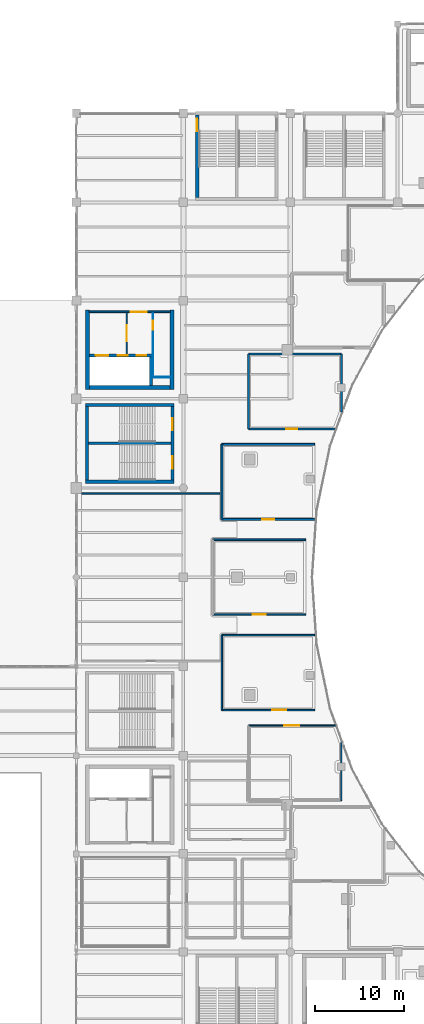
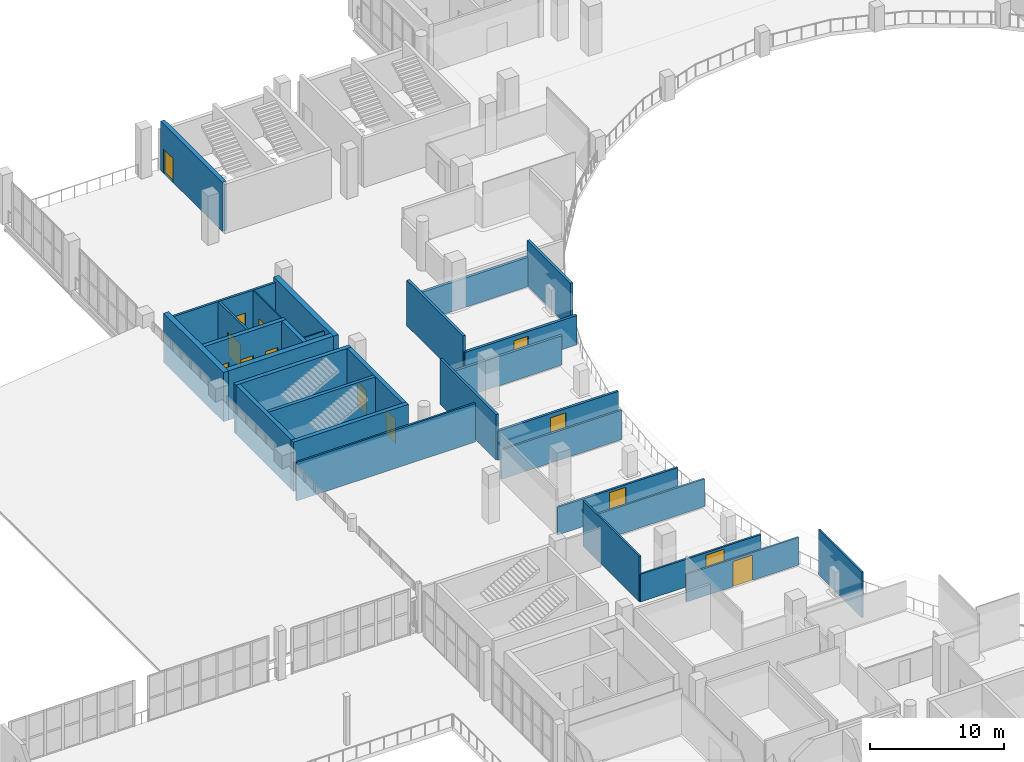
# One storey, part 63 of 90: 30 walls, 14 doors, 14 openings.
"""IFC4 building model written with IfcOpenShell, lengths in metres."""

from ifc_helpers import new_model, si_unit, direction, frame, frame_2d, origin, place, context, subcontext, project, spatial, rectangle, extrude, material, layer, layer_set, type_object, element, fill, save


model = new_model("IFC4")

# Units and contexts
model_context = context("Model", 3, precision=1e-05, world=origin(), true_north=direction((0.0, 1.0)))
body_context = subcontext(model_context, "Body", "Model", "MODEL_VIEW")
ifc_project = project(units=[si_unit("LENGTHUNIT", "METRE"), si_unit("AREAUNIT", "SQUARE_METRE"), si_unit("VOLUMEUNIT", "CUBIC_METRE"), si_unit("PLANEANGLEUNIT", "RADIAN"), si_unit("MASSUNIT", "GRAM", prefix="KILO")], contexts=[model_context])

# Site, building, storey
site_placement = place(None, origin())
site = spatial("IfcSite", under=ifc_project, at=site_placement, CompositionType="ELEMENT")
building_placement = place(site_placement, origin())
building = spatial("IfcBuilding", under=site, at=building_placement, Name="Brinegate Civic Arena", CompositionType="ELEMENT")
storey_placement = place(building_placement, frame((0.0, 0.0, 14.699951171875)))
storey = spatial("IfcBuildingStorey", under=building, at=storey_placement, Name="L03", CompositionType="ELEMENT", Elevation=14.699951171875)

# Wall, opening, door
ifc_material_1 = material(Name="Concrete C50/60", Category="concrete")
ifc_layer_1 = layer(ifc_material_1, 0.35009765625, Name="Concrete C50/60")
ifc_layer_set_1 = layer_set([ifc_layer_1], Name="Concrete C50/60")
wall_type_1 = type_object("IfcWallType", Name="WALL-CORE-SHEAR-350", PredefinedType="SHEAR", material=ifc_layer_set_1)
wall_1_placement = place(storey_placement, frame((61.550048828125, 104.574951171875, 0.0), z_axis=(0.0, 0.0, 1.0), x_axis=(0.0, 1.0, 0.0)))
wall_1 = element("IfcWall", 1, at=wall_1_placement, inside=storey, type_object=wall_type_1, Name="Stair ST-01 West Shear Wall L03 (WBB-19)", PredefinedType="SHEAR", context=body_context, shape_type="SweptSolid", body=[
    extrude(rectangle(XDim=9.25, YDim=0.35009765625, at=frame_2d((4.625, 0.0))), origin(), (0.0, 0.0, 1.0), 4.5),
])
opening_1_placement = place(wall_1_placement, frame((7.425048828125, 0.0, 0.0)))
opening_1 = element("IfcOpeningElement", 2, at=opening_1_placement, cuts=wall_1, Name="Opening D-ST01A-L03", PredefinedType="OPENING", context=body_context, shape_type="SweptSolid", body=[
    extrude(rectangle(XDim=1.39990234375, YDim=2.199951171875, at=frame_2d((0.699951171875, 1.10009765625))), frame((0.0, 0.18505859375, 0.0), z_axis=(0.0, -1.0, 0.0), x_axis=(1.0, 0.0, 0.0)), (0.0, 0.0, 1.0), 0.3701171875),
])
ifc_material_2 = material(Name="Galvanized hurricane steel", Category="steel")
door_type_1 = type_object("IfcDoorType", Name="DOOR-STAIR-2400X2200", OperationType="NOTDEFINED", PredefinedType="DOOR", material=ifc_material_2)
door_1_placement = place(opening_1_placement, frame((1.39990234375, 0.0, 0.0), z_axis=(0.0, 0.0, 1.0), x_axis=(-1.0, 0.0, 0.0)))
door_1 = element("IfcDoor", 3, at=door_1_placement, inside=storey, type_object=door_type_1, Name="Protected Exit Stair Door D-ST01A-L03", OperationType="DOUBLE_DOOR_SINGLE_SWING", OverallHeight=2.199951171875, OverallWidth=1.39990234375, PredefinedType="DOOR", context=body_context, shape_type="SweptSolid", body=[
    extrude(rectangle(XDim=1.39990234375, YDim=2.199951171875, at=frame_2d((0.699951171875, 1.10009765625))), frame((0.0, 0.02490234375, 0.0), z_axis=(0.0, -1.0, 0.0), x_axis=(1.0, 0.0, 0.0)), (0.0, 0.0, 1.0), 0.050048828125),
])
fill(opening_1, door_1)

# Walls
for number, where, z_axis, x_axis, name in (
    (4, (49.02490234375, 72.699951171875, 0.0), (0.0, 0.0, 1.0), (1.0, 0.0, 0.0), "Stair ST-07 South Shear Wall L03 (WBC-83)"),
    (5, (49.02490234375, 81.300048828125, 0.0), (0.0, 0.0, 1.0), (1.0, 0.0, 0.0), "Stair ST-07 North Shear Wall L03 (WBC-84)"),
):
    element("IfcWall", number, at=place(storey_placement, frame(where, z_axis=z_axis, x_axis=x_axis)), inside=storey, type_object=wall_type_1, Name=name, PredefinedType="SHEAR", context=body_context, shape_type="SweptSolid", body=[
        extrude(rectangle(XDim=9.9501953125, YDim=0.35009765625, at=frame_2d((4.97509765625, 0.0))), origin(), (0.0, 0.0, 1.0), 4.5),
    ])
wall_2_placement = place(storey_placement, frame((49.199951171875, 72.875, 0.0), z_axis=(0.0, 0.0, 1.0), x_axis=(0.0, 1.0, 0.0)))
element("IfcWall", 6, at=wall_2_placement, inside=storey, type_object=wall_type_1, Name="Stair ST-07 West Shear Wall L03 (WBC-85)", PredefinedType="SHEAR", context=body_context, shape_type="SweptSolid", body=[
    extrude(rectangle(XDim=8.25, YDim=0.35009765625, at=frame_2d((4.125, 0.0))), origin(), (0.0, 0.0, 1.0), 4.5),
])

# Wall, openings, doors
wall_3_placement = place(storey_placement, frame((58.800048828125, 72.875, 0.0), z_axis=(0.0, 0.0, 1.0), x_axis=(0.0, 1.0, 0.0)))
wall_3 = element("IfcWall", 7, at=wall_3_placement, inside=storey, type_object=wall_type_1, Name="Stair ST-07 East Shear Wall L03 (WBC-86)", PredefinedType="SHEAR", context=body_context, shape_type="SweptSolid", body=[
    extrude(rectangle(XDim=8.25, YDim=0.35009765625, at=frame_2d((4.125, 0.0))), origin(), (0.0, 0.0, 1.0), 4.5),
])
opening_2_placement = place(wall_3_placement, frame((1.27490234375, 0.0, 0.0)))
opening_2 = element("IfcOpeningElement", 8, at=opening_2_placement, cuts=wall_3, Name="Opening D-ST07A-L03", PredefinedType="OPENING", context=body_context, shape_type="SweptSolid", body=[
    extrude(rectangle(XDim=1.39990234375, YDim=2.199951171875, at=frame_2d((0.699951171875, 1.10009765625))), frame((0.0, 0.18505859375, 0.0), z_axis=(0.0, -1.0, 0.0), x_axis=(1.0, 0.0, 0.0)), (0.0, 0.0, 1.0), 0.3701171875),
])
opening_3_placement = place(wall_3_placement, frame((5.614990234375, 0.0, 0.0)))
opening_3 = element("IfcOpeningElement", 9, at=opening_3_placement, cuts=wall_3, Name="Opening D-ST07B-L03", PredefinedType="OPENING", context=body_context, shape_type="SweptSolid", body=[
    extrude(rectangle(XDim=1.320068359375, YDim=2.199951171875, at=frame_2d((0.66015625, 1.10009765625))), frame((0.0, 0.18505859375, 0.0), z_axis=(0.0, -1.0, 0.0), x_axis=(1.0, 0.0, 0.0)), (0.0, 0.0, 1.0), 0.3701171875),
])
door_type_2 = type_object("IfcDoorType", Name="DOOR-STAIR-2200X2200", OperationType="NOTDEFINED", PredefinedType="DOOR", material=ifc_material_2)
door_2_placement = place(opening_3_placement, origin())
door_2 = element("IfcDoor", 10, at=door_2_placement, inside=storey, type_object=door_type_2, Name="Protected Exit Stair Door D-ST07B-L03", OperationType="DOUBLE_DOOR_SINGLE_SWING", OverallHeight=2.199951171875, OverallWidth=1.320068359375, PredefinedType="DOOR", context=body_context, shape_type="SweptSolid", body=[
    extrude(rectangle(XDim=1.320068359375, YDim=2.199951171875, at=frame_2d((0.66015625, 1.10009765625))), frame((0.0, 0.02490234375, 0.0), z_axis=(0.0, -1.0, 0.0), x_axis=(1.0, 0.0, 0.0)), (0.0, 0.0, 1.0), 0.050048828125),
])
fill(opening_3, door_2)
door_3_placement = place(opening_2_placement, origin())
door_3 = element("IfcDoor", 11, at=door_3_placement, inside=storey, type_object=door_type_1, Name="Protected Exit Stair Door D-ST07A-L03", OperationType="DOUBLE_DOOR_SINGLE_SWING", OverallHeight=2.199951171875, OverallWidth=1.39990234375, PredefinedType="DOOR", context=body_context, shape_type="SweptSolid", body=[
    extrude(rectangle(XDim=1.39990234375, YDim=2.199951171875, at=frame_2d((0.699951171875, 1.10009765625))), frame((0.0, 0.02490234375, 0.0), z_axis=(0.0, -1.0, 0.0), x_axis=(1.0, 0.0, 0.0)), (0.0, 0.0, 1.0), 0.050048828125),
])
fill(opening_2, door_3)

wall_4_placement = place(storey_placement, frame((49.47509765625, 86.85009765625, 0.0), z_axis=(0.0, 0.0, 1.0), x_axis=(1.0, 0.0, 0.0)))
wall_4 = element("IfcWall", 12, at=wall_4_placement, inside=storey, type_object=wall_type_1, Name="Core K1 Lift Shaft Front Wall L03 (WBF-66)", PredefinedType="SHEAR", context=body_context, shape_type="SweptSolid", body=[
    extrude(rectangle(XDim=7.0498046875, YDim=0.35009765625, at=frame_2d((3.52490234375, 0.0))), origin(), (0.0, 0.0, 1.0), 4.5),
])
opening_4_placement = place(wall_4_placement, frame((0.72509765625, 0.0, 0.0)))
opening_4 = element("IfcOpeningElement", 13, at=opening_4_placement, cuts=wall_4, Name="Opening LD-FL1-L03", PredefinedType="OPENING", context=body_context, shape_type="SweptSolid", body=[
    extrude(rectangle(XDim=1.39990234375, YDim=2.300048828125, at=frame_2d((0.699951171875, 1.14990234375))), frame((0.0, 0.18505859375, 0.0), z_axis=(0.0, -1.0, 0.0), x_axis=(1.0, 0.0, 0.0)), (0.0, 0.0, 1.0), 0.3701171875),
])
opening_5_placement = place(wall_4_placement, frame((3.175048828125, 0.0, 0.0)))
opening_5 = element("IfcOpeningElement", 14, at=opening_5_placement, cuts=wall_4, Name="Opening LD-PL1-L03", PredefinedType="OPENING", context=body_context, shape_type="SweptSolid", body=[
    extrude(rectangle(XDim=1.10009765625, YDim=2.199951171875, at=frame_2d((0.550048828125, 1.10009765625))), frame((0.0, 0.18505859375, 0.0), z_axis=(0.0, -1.0, 0.0), x_axis=(1.0, 0.0, 0.0)), (0.0, 0.0, 1.0), 0.3701171875),
])
opening_6_placement = place(wall_4_placement, frame((5.27490234375, 0.0, 0.0)))
opening_6 = element("IfcOpeningElement", 15, at=opening_6_placement, cuts=wall_4, Name="Opening LD-PL2-L03", PredefinedType="OPENING", context=body_context, shape_type="SweptSolid", body=[
    extrude(rectangle(XDim=1.10009765625, YDim=2.199951171875, at=frame_2d((0.550048828125, 1.10009765625))), frame((0.0, 0.18505859375, 0.0), z_axis=(0.0, -1.0, 0.0), x_axis=(1.0, 0.0, 0.0)), (0.0, 0.0, 1.0), 0.3701171875),
])
ifc_material_3 = material(Name="Architectural stainless steel balustrade", Category="steel")
door_type_3 = type_object("IfcDoorType", Name="DOOR-LIFT-1100X2200", OperationType="SLIDING_TO_LEFT", PredefinedType="DOOR", material=ifc_material_3)
door_4_placement = place(opening_5_placement, origin())
door_4 = element("IfcDoor", 16, at=door_4_placement, inside=storey, type_object=door_type_3, Name="Sliding Lift Landing Door LD-PL1-L03", OperationType="SLIDING_TO_LEFT", OverallHeight=2.199951171875, OverallWidth=1.10009765625, PredefinedType="DOOR", context=body_context, shape_type="SweptSolid", body=[
    extrude(rectangle(XDim=1.10009765625, YDim=2.199951171875, at=frame_2d((0.550048828125, 1.10009765625))), frame((0.0, 0.02490234375, 0.0), z_axis=(0.0, -1.0, 0.0), x_axis=(1.0, 0.0, 0.0)), (0.0, 0.0, 1.0), 0.050048828125),
])
fill(opening_5, door_4)
door_5_placement = place(opening_6_placement, origin())
door_5 = element("IfcDoor", 17, at=door_5_placement, inside=storey, type_object=door_type_3, Name="Sliding Lift Landing Door LD-PL2-L03", OperationType="SLIDING_TO_LEFT", OverallHeight=2.199951171875, OverallWidth=1.10009765625, PredefinedType="DOOR", context=body_context, shape_type="SweptSolid", body=[
    extrude(rectangle(XDim=1.10009765625, YDim=2.199951171875, at=frame_2d((0.550048828125, 1.10009765625))), frame((0.0, 0.02490234375, 0.0), z_axis=(0.0, -1.0, 0.0), x_axis=(1.0, 0.0, 0.0)), (0.0, 0.0, 1.0), 0.050048828125),
])
fill(opening_6, door_5)
door_type_4 = type_object("IfcDoorType", Name="DOOR-LIFT-1400X2300", OperationType="SLIDING_TO_LEFT", PredefinedType="DOOR", material=ifc_material_3)
door_6_placement = place(opening_4_placement, origin())
door_6 = element("IfcDoor", 18, at=door_6_placement, inside=storey, type_object=door_type_4, Name="Sliding Lift Landing Door LD-FL1-L03", OperationType="SLIDING_TO_LEFT", OverallHeight=2.300048828125, OverallWidth=1.39990234375, PredefinedType="DOOR", context=body_context, shape_type="SweptSolid", body=[
    extrude(rectangle(XDim=1.39990234375, YDim=2.300048828125, at=frame_2d((0.699951171875, 1.14990234375))), frame((0.0, 0.02490234375, 0.0), z_axis=(0.0, -1.0, 0.0), x_axis=(1.0, 0.0, 0.0)), (0.0, 0.0, 1.0), 0.050048828125),
])
fill(opening_4, door_6)

# Walls
wall_5_placement = place(storey_placement, frame((56.35009765625, 83.47509765625, 0.0), z_axis=(0.0, 0.0, 1.0), x_axis=(0.0, 1.0, 0.0)))
element("IfcWall", 19, at=wall_5_placement, inside=storey, type_object=wall_type_1, Name="Core K1 Lift Shaft End Wall L03 (WBF-67)", PredefinedType="SHEAR", context=body_context, shape_type="SweptSolid", body=[
    extrude(rectangle(XDim=3.199951171875, YDim=0.35009765625, at=frame_2d((1.60009765625, 0.0))), origin(), (0.0, 0.0, 1.0), 4.5),
])
ifc_layer_2 = layer(ifc_material_1, 0.449951171875, Name="Concrete C50/60")
ifc_layer_set_2 = layer_set([ifc_layer_2], Name="Concrete C50/60")
wall_type_2 = type_object("IfcWallType", Name="WALL-CORE-SHEAR-450", PredefinedType="SHEAR", material=ifc_layer_set_2)
for number, where, z_axis, x_axis, name in (
    (20, (49.25, 83.02490234375, 0.0), (0.0, 0.0, 1.0), (0.0, 1.0, 0.0), "Core K1 West Shear Wall L03 (WBF-63)"),
    (21, (58.75, 83.02490234375, 0.0), (0.0, 0.0, 1.0), (0.0, 1.0, 0.0), "Core K1 East Shear Wall L03 (WBF-64)"),
):
    element("IfcWall", number, at=place(storey_placement, frame(where, z_axis=z_axis, x_axis=x_axis)), inside=storey, type_object=wall_type_2, Name=name, PredefinedType="SHEAR", context=body_context, shape_type="SweptSolid", body=[
        extrude(rectangle(XDim=8.9501953125, YDim=0.449951171875, at=frame_2d((4.47509765625, 0.0))), origin(), (0.0, 0.0, 1.0), 4.5),
    ])
wall_6_placement = place(storey_placement, frame((49.47509765625, 83.25, 0.0), z_axis=(0.0, 0.0, 1.0), x_axis=(1.0, 0.0, 0.0)))
element("IfcWall", 22, at=wall_6_placement, inside=storey, type_object=wall_type_2, Name="Core K1 South Shear Wall L03 (WBF-65)", PredefinedType="SHEAR", context=body_context, shape_type="SweptSolid", body=[
    extrude(rectangle(XDim=9.0498046875, YDim=0.449951171875, at=frame_2d((4.52490234375, 0.0))), origin(), (0.0, 0.0, 1.0), 4.5),
])

# Wall, opening, door
ifc_material_4 = material(Name="Concrete C40/50", Category="concrete")
ifc_layer_3 = layer(ifc_material_4, 0.2099609375, Name="Concrete C40/50")
ifc_layer_set_3 = layer_set([ifc_layer_3], Name="Concrete C40/50")
wall_type_3 = type_object("IfcWallType", Name="WALL-INT-SOLID-210", PredefinedType="SOLIDWALL", material=ifc_layer_set_3)
wall_7_placement = place(storey_placement, frame((74.7119140625, 68.485107421875, 0.0), z_axis=(0.0, 0.0, 1.0), x_axis=(-1.0, 0.0, 0.0)))
wall_7 = element("IfcWall", 23, at=wall_7_placement, inside=storey, type_object=wall_type_3, Name="Hospitality Suite L03-13 Partition Wall E2 (WBJ-88)", PredefinedType="SOLIDWALL", context=body_context, shape_type="SweptSolid", body=[
    extrude(rectangle(XDim=10.39990234375, YDim=0.2099609375, at=frame_2d((5.199951171875, 0.0))), origin(), (0.0, 0.0, 1.0), 2.678955078125),
])
opening_7_placement = place(wall_7_placement, frame((4.52490234375, 0.0, 0.0)))
opening_7 = element("IfcOpeningElement", 24, at=opening_7_placement, cuts=wall_7, Name="Opening D-L03-204", PredefinedType="OPENING", context=body_context, shape_type="SweptSolid", body=[
    extrude(rectangle(XDim=1.35009765625, YDim=2.300048828125, at=frame_2d((0.675048828125, 1.14990234375))), frame((0.0, 0.114990234375, 0.0), z_axis=(0.0, -1.0, 0.0), x_axis=(1.0, 0.0, 0.0)), (0.0, 0.0, 1.0), 0.22998046875),
])
ifc_material_5 = material(Name="Hardwood acoustic timber door", Category="wood")
door_type_5 = type_object("IfcDoorType", Name="DOOR-SUITE-1350X2300", OperationType="NOTDEFINED", PredefinedType="DOOR", material=ifc_material_5)
door_7_placement = place(opening_7_placement, origin())
door_7 = element("IfcDoor", 25, at=door_7_placement, inside=storey, type_object=door_type_5, Name="Hospitality Suite L03-13 Door D-L03-204", OperationType="SINGLE_SWING_RIGHT", OverallHeight=2.300048828125, OverallWidth=1.35009765625, PredefinedType="DOOR", context=body_context, shape_type="SweptSolid", body=[
    extrude(rectangle(XDim=1.35009765625, YDim=2.300048828125, at=frame_2d((0.675048828125, 1.14990234375))), frame((0.0, 0.02490234375, 0.0), z_axis=(0.0, -1.0, 0.0), x_axis=(1.0, 0.0, 0.0)), (0.0, 0.0, 1.0), 0.050048828125),
])
fill(opening_7, door_7)

# Walls
wall_8_placement = place(storey_placement, frame((64.31201171875, 68.485107421875, 0.0), z_axis=(0.0, 0.0, 1.0), x_axis=(0.0, 1.0, 0.0)))
element("IfcWall", 26, at=wall_8_placement, inside=storey, type_object=wall_type_3, Name="Hospitality Suite L03-13 Partition Wall E3 (WBJ-89)", PredefinedType="SOLIDWALL", context=body_context, shape_type="SweptSolid", body=[
    extrude(rectangle(XDim=8.39990234375, YDim=0.2099609375, at=frame_2d((4.199951171875, 0.0))), origin(), (0.0, 0.0, 1.0), 4.16015625),
])
wall_9_placement = place(storey_placement, frame((64.31201171875, 76.885009765625, 0.0), z_axis=(0.0, 0.0, 1.0), x_axis=(1.0, 0.0, 0.0)))
element("IfcWall", 27, at=wall_9_placement, inside=storey, type_object=wall_type_3, Name="Hospitality Suite L03-13 Partition Wall E4 (WBJ-90)", PredefinedType="SOLIDWALL", context=body_context, shape_type="SweptSolid", body=[
    extrude(rectangle(XDim=10.39990234375, YDim=0.2099609375, at=frame_2d((5.199951171875, 0.0))), origin(), (0.0, 0.0, 1.0), 2.678955078125),
])
ifc_layer_4 = layer(ifc_material_4, 0.22998046875, Name="Concrete C40/50")
ifc_layer_set_4 = layer_set([ifc_layer_4], Name="Concrete C40/50")
wall_type_4 = type_object("IfcWallType", Name="WALL-INT-SOLID-230", PredefinedType="SOLIDWALL", material=ifc_layer_set_4)
wall_10_placement = place(storey_placement, frame((67.298095703125, 87.02294921875, 0.0), z_axis=(0.0, 0.0, 1.0), x_axis=(1.0, 0.0, 0.0)))
element("IfcWall", 28, at=wall_10_placement, inside=storey, type_object=wall_type_4, Name="Hospitality Suite L03-12 Partition Wall E1 (WBJ-84)", PredefinedType="SOLIDWALL", context=body_context, shape_type="SweptSolid", body=[
    extrude(rectangle(XDim=10.39990234375, YDim=0.22998046875, at=frame_2d((5.199951171875, 0.0))), origin(), (0.0, 0.0, 1.0), 2.678955078125),
])
wall_11_placement = place(storey_placement, frame((77.697998046875, 87.02294921875, 0.0), z_axis=(0.0, 0.0, 1.0), x_axis=(0.0, -1.0, 0.0)))
element("IfcWall", 29, at=wall_11_placement, inside=storey, type_object=wall_type_4, Name="Hospitality Suite L03-12 Partition Wall E2 (WBJ-85)", PredefinedType="SOLIDWALL", context=body_context, shape_type="SweptSolid", body=[
    extrude(rectangle(XDim=6.488037109375, YDim=0.22998046875, at=frame_2d((3.244140625, 0.0))), origin(), (0.0, 0.0, 1.0), 4.16015625),
])

# Wall, opening, door
wall_12_placement = place(storey_placement, frame((77.0029296875, 78.623046875, 0.0), z_axis=(0.0, 0.0, 1.0), x_axis=(-1.0, 0.0, 0.0)))
wall_12 = element("IfcWall", 30, at=wall_12_placement, inside=storey, type_object=wall_type_4, Name="Hospitality Suite L03-12 Partition Wall E4 (WBJ-86)", PredefinedType="SOLIDWALL", context=body_context, shape_type="SweptSolid", body=[
    extrude(rectangle(XDim=9.704833984375, YDim=0.22998046875, at=frame_2d((4.8525390625, 0.0))), origin(), (0.0, 0.0, 1.0), 2.678955078125),
])
opening_8_placement = place(wall_12_placement, frame((4.22802734375, 0.0, 0.0)))
opening_8 = element("IfcOpeningElement", 31, at=opening_8_placement, cuts=wall_12, Name="Opening D-L03-203", PredefinedType="OPENING", context=body_context, shape_type="SweptSolid", body=[
    extrude(rectangle(XDim=1.25, YDim=2.25, at=frame_2d((0.625, 1.125))), frame((0.0, 0.125, 0.0), z_axis=(0.0, -1.0, 0.0), x_axis=(1.0, 0.0, 0.0)), (0.0, 0.0, 1.0), 0.25),
])
door_type_6 = type_object("IfcDoorType", Name="DOOR-SUITE-1250X2250", OperationType="NOTDEFINED", PredefinedType="DOOR", material=ifc_material_5)
door_8_placement = place(opening_8_placement, origin())
door_8 = element("IfcDoor", 32, at=door_8_placement, inside=storey, type_object=door_type_6, Name="Hospitality Suite L03-12 Door D-L03-203", OperationType="SINGLE_SWING_LEFT", OverallHeight=2.25, OverallWidth=1.25, PredefinedType="DOOR", context=body_context, shape_type="SweptSolid", body=[
    extrude(rectangle(XDim=1.25, YDim=2.25, at=frame_2d((0.625, 1.125))), frame((0.0, 0.02490234375, 0.0), z_axis=(0.0, -1.0, 0.0), x_axis=(1.0, 0.0, 0.0)), (0.0, 0.0, 1.0), 0.050048828125),
])
fill(opening_8, door_8)

# Wall
wall_13_placement = place(storey_placement, frame((67.298095703125, 78.623046875, 0.0), z_axis=(0.0, 0.0, 1.0), x_axis=(0.0, 1.0, 0.0)))
element("IfcWall", 33, at=wall_13_placement, inside=storey, type_object=wall_type_4, Name="Hospitality Suite L03-12 Partition Wall E5 (WBJ-87)", PredefinedType="SOLIDWALL", context=body_context, shape_type="SweptSolid", body=[
    extrude(rectangle(XDim=8.39990234375, YDim=0.22998046875, at=frame_2d((4.199951171875, 0.0))), origin(), (0.0, 0.0, 1.0), 4.16015625),
])

# Wall, opening, door
ifc_material_6 = material(Name="Fire-rated gypsum partition assembly")
ifc_layer_5 = layer(ifc_material_6, 0.159912109375, Name="Fire-rated gypsum partition assembly")
ifc_layer_set_5 = layer_set([ifc_layer_5], Name="Fire-rated gypsum partition assembly")
wall_type_5 = type_object("IfcWallType", Name="WALL-PART-RATED-160", PredefinedType="PARTITIONING", material=ifc_layer_set_5)
wall_14_placement = place(storey_placement, frame((74.7119140625, 47.114990234375, 0.0), z_axis=(0.0, 0.0, 1.0), x_axis=(-1.0, 0.0, 0.0)))
wall_14 = element("IfcWall", 34, at=wall_14_placement, inside=storey, type_object=wall_type_5, Name="Hospitality Suite L03-15 Partition Wall E2 (WBJ-94)", PredefinedType="PARTITIONING", context=body_context, shape_type="SweptSolid", body=[
    extrude(rectangle(XDim=10.39990234375, YDim=0.159912109375, at=frame_2d((5.199951171875, 0.0))), origin(), (0.0, 0.0, 1.0), 2.530029296875),
])
opening_9_placement = place(wall_14_placement, frame((3.177001953125, 0.0, 0.0)))
opening_9 = element("IfcOpeningElement", 35, at=opening_9_placement, cuts=wall_14, Name="Opening D-L03-206", PredefinedType="OPENING", context=body_context, shape_type="SweptSolid", body=[
    extrude(rectangle(XDim=1.550048828125, YDim=2.300048828125, at=frame_2d((0.77490234375, 1.14990234375))), frame((0.0, 0.08984375, 0.0), z_axis=(0.0, -1.0, 0.0), x_axis=(1.0, 0.0, 0.0)), (0.0, 0.0, 1.0), 0.179931640625),
])
door_type_7 = type_object("IfcDoorType", Name="DOOR-SUITE-1550X2300", OperationType="NOTDEFINED", PredefinedType="DOOR", material=ifc_material_5)
door_9_placement = place(opening_9_placement, origin())
door_9 = element("IfcDoor", 36, at=door_9_placement, inside=storey, type_object=door_type_7, Name="Hospitality Suite L03-15 Door D-L03-206", OperationType="DOUBLE_DOOR_SINGLE_SWING", OverallHeight=2.300048828125, OverallWidth=1.550048828125, PredefinedType="DOOR", context=body_context, shape_type="SweptSolid", body=[
    extrude(rectangle(XDim=1.550048828125, YDim=2.300048828125, at=frame_2d((0.77490234375, 1.14990234375))), frame((0.0, 0.02490234375, 0.0), z_axis=(0.0, -1.0, 0.0), x_axis=(1.0, 0.0, 0.0)), (0.0, 0.0, 1.0), 0.050048828125),
])
fill(opening_9, door_9)

# Walls
wall_15_placement = place(storey_placement, frame((64.31201171875, 47.114990234375, 0.0), z_axis=(0.0, 0.0, 1.0), x_axis=(0.0, 1.0, 0.0)))
element("IfcWall", 37, at=wall_15_placement, inside=storey, type_object=wall_type_5, Name="Hospitality Suite L03-15 Partition Wall E3 (WBJ-95)", PredefinedType="PARTITIONING", context=body_context, shape_type="SweptSolid", body=[
    extrude(rectangle(XDim=8.39990234375, YDim=0.159912109375, at=frame_2d((4.199951171875, 0.0))), origin(), (0.0, 0.0, 1.0), 4.16015625),
])
wall_16_placement = place(storey_placement, frame((64.31201171875, 55.514892578125, 0.0), z_axis=(0.0, 0.0, 1.0), x_axis=(1.0, 0.0, 0.0)))
element("IfcWall", 38, at=wall_16_placement, inside=storey, type_object=wall_type_5, Name="Hospitality Suite L03-15 Partition Wall E4 (WBJ-96)", PredefinedType="PARTITIONING", context=body_context, shape_type="SweptSolid", body=[
    extrude(rectangle(XDim=10.39990234375, YDim=0.159912109375, at=frame_2d((5.199951171875, 0.0))), origin(), (0.0, 0.0, 1.0), 2.530029296875),
])
wall_17_placement = place(storey_placement, frame((48.60009765625, 71.39990234375, 0.0), z_axis=(0.0, 0.0, 1.0), x_axis=(1.0, 0.0, 0.0)))
element("IfcWall", 39, at=wall_17_placement, inside=storey, type_object=wall_type_5, Name="West Suite Founders Dining Salon Partition Wall E48 (WBK-27)", PredefinedType="PARTITIONING", context=body_context, shape_type="SweptSolid", body=[
    extrude(rectangle(XDim=15.4619140625, YDim=0.159912109375, at=frame_2d((7.73095703125, 0.0))), origin(), (0.0, 0.0, 1.0), 3.524169921875),
])

# Wall, opening, door
ifc_layer_6 = layer(ifc_material_6, 0.175048828125, Name="Fire-rated gypsum partition assembly")
ifc_layer_set_6 = layer_set([ifc_layer_6], Name="Fire-rated gypsum partition assembly")
wall_type_6 = type_object("IfcWallType", Name="WALL-PART-RATED-175", PredefinedType="PARTITIONING", material=ifc_layer_set_6)
wall_18_placement = place(storey_placement, frame((73.699951171875, 57.800048828125, 0.0), z_axis=(0.0, 0.0, 1.0), x_axis=(-1.0, 0.0, 0.0)))
wall_18 = element("IfcWall", 40, at=wall_18_placement, inside=storey, type_object=wall_type_6, Name="Hospitality Suite L03-14 Partition Wall E2 (WBJ-91)", PredefinedType="PARTITIONING", context=body_context, shape_type="SweptSolid", body=[
    extrude(rectangle(XDim=10.39990234375, YDim=0.175048828125, at=frame_2d((5.199951171875, 0.0))), origin(), (0.0, 0.0, 1.0), 2.530029296875),
])
opening_10_placement = place(wall_18_placement, frame((4.47509765625, 0.0, 0.0)))
opening_10 = element("IfcOpeningElement", 41, at=opening_10_placement, cuts=wall_18, Name="Opening D-L03-205", PredefinedType="OPENING", context=body_context, shape_type="SweptSolid", body=[
    extrude(rectangle(XDim=1.449951171875, YDim=2.300048828125, at=frame_2d((0.72509765625, 1.14990234375))), frame((0.0, 0.097412109375, 0.0), z_axis=(0.0, -1.0, 0.0), x_axis=(1.0, 0.0, 0.0)), (0.0, 0.0, 1.0), 0.195068359375),
])
door_type_8 = type_object("IfcDoorType", Name="DOOR-SUITE-1450X2300", OperationType="NOTDEFINED", PredefinedType="DOOR", material=ifc_material_5)
door_10_placement = place(opening_10_placement, origin())
door_10 = element("IfcDoor", 42, at=door_10_placement, inside=storey, type_object=door_type_8, Name="Hospitality Suite L03-14 Door D-L03-205", OperationType="SINGLE_SWING_LEFT", OverallHeight=2.300048828125, OverallWidth=1.449951171875, PredefinedType="DOOR", context=body_context, shape_type="SweptSolid", body=[
    extrude(rectangle(XDim=1.449951171875, YDim=2.300048828125, at=frame_2d((0.72509765625, 1.14990234375))), frame((0.0, 0.02490234375, 0.0), z_axis=(0.0, -1.0, 0.0), x_axis=(1.0, 0.0, 0.0)), (0.0, 0.0, 1.0), 0.050048828125),
])
fill(opening_10, door_10)

# Wall
wall_19_placement = place(storey_placement, frame((63.300048828125, 66.199951171875, 0.0), z_axis=(0.0, 0.0, 1.0), x_axis=(1.0, 0.0, 0.0)))
element("IfcWall", 43, at=wall_19_placement, inside=storey, type_object=wall_type_6, Name="Hospitality Suite L03-14 Partition Wall E4 (WBJ-93)", PredefinedType="PARTITIONING", context=body_context, shape_type="SweptSolid", body=[
    extrude(rectangle(XDim=10.39990234375, YDim=0.175048828125, at=frame_2d((5.199951171875, 0.0))), origin(), (0.0, 0.0, 1.0), 2.678955078125),
])

# Wall, opening, door
ifc_material_7 = material(Name="Concrete blockwork masonry", Category="masonry")
ifc_layer_7 = layer(ifc_material_7, 0.18994140625, Name="Concrete blockwork masonry")
ifc_layer_set_7 = layer_set([ifc_layer_7], Name="Concrete blockwork masonry")
wall_type_7 = type_object("IfcWallType", Name="WALL-PART-RATED-190", PredefinedType="PARTITIONING", material=ifc_layer_set_7)
wall_20_placement = place(storey_placement, frame((49.469970703125, 91.75, 0.0), z_axis=(0.0, 0.0, 1.0), x_axis=(1.0, 0.0, 0.0)))
wall_20 = element("IfcWall", 44, at=wall_20_placement, inside=storey, type_object=wall_type_7, Name="Core K1 Concourse Lobby Wall L03 (WBF-68)", PredefinedType="PARTITIONING", context=body_context, shape_type="SweptSolid", body=[
    extrude(rectangle(XDim=9.06005859375, YDim=0.18994140625, at=frame_2d((4.530029296875, 0.0))), origin(), (0.0, 0.0, 1.0), 4.16015625),
])
opening_11_placement = place(wall_20_placement, frame((4.64990234375, 0.0, 0.0)))
opening_11 = element("IfcOpeningElement", 45, at=opening_11_placement, cuts=wall_20, Name="Opening D-K1L-L03", PredefinedType="OPENING", context=body_context, shape_type="SweptSolid", body=[
    extrude(rectangle(XDim=1.800048828125, YDim=2.300048828125, at=frame_2d((0.89990234375, 1.14990234375))), frame((0.0, 0.10498046875, 0.0), z_axis=(0.0, -1.0, 0.0), x_axis=(1.0, 0.0, 0.0)), (0.0, 0.0, 1.0), 0.2099609375),
])
ifc_material_8 = material(Name="Marine grade aluminium", Category="aluminium")
door_type_9 = type_object("IfcDoorType", Name="DOOR-CONC-1800X2300", OperationType="NOTDEFINED", PredefinedType="DOOR", material=ifc_material_8)
door_11_placement = place(opening_11_placement, origin())
door_11 = element("IfcDoor", 46, at=door_11_placement, inside=storey, type_object=door_type_9, Name="Lift Lobby Door D-K1L-L03", OperationType="DOUBLE_DOOR_SINGLE_SWING", OverallHeight=2.300048828125, OverallWidth=1.800048828125, PredefinedType="DOOR", context=body_context, shape_type="SweptSolid", body=[
    extrude(rectangle(XDim=1.800048828125, YDim=2.300048828125, at=frame_2d((0.89990234375, 1.14990234375))), frame((0.0, 0.02490234375, 0.0), z_axis=(0.0, -1.0, 0.0), x_axis=(1.0, 0.0, 0.0)), (0.0, 0.0, 1.0), 0.050048828125),
])
fill(opening_11, door_11)

wall_21_placement = place(storey_placement, frame((53.64990234375, 87.02490234375, 0.0), z_axis=(0.0, 0.0, 1.0), x_axis=(0.0, 1.0, 0.0)))
wall_21 = element("IfcWall", 47, at=wall_21_placement, inside=storey, type_object=wall_type_7, Name="Firefighting Lobby K1 Wall L03 (WBF-69)", PredefinedType="PARTITIONING", context=body_context, shape_type="SweptSolid", body=[
    extrude(rectangle(XDim=4.625, YDim=0.18994140625, at=frame_2d((2.3125, 0.0))), origin(), (0.0, 0.0, 1.0), 4.16015625),
])
opening_12_placement = place(wall_21_placement, frame((1.4130859375, 0.0, 0.0)))
opening_12 = element("IfcOpeningElement", 48, at=opening_12_placement, cuts=wall_21, Name="Opening D-K1F-L03", PredefinedType="OPENING", context=body_context, shape_type="SweptSolid", body=[
    extrude(rectangle(XDim=1.800048828125, YDim=2.199951171875, at=frame_2d((0.89990234375, 1.10009765625))), frame((0.0, 0.10498046875, 0.0), z_axis=(0.0, -1.0, 0.0), x_axis=(1.0, 0.0, 0.0)), (0.0, 0.0, 1.0), 0.2099609375),
])
door_type_10 = type_object("IfcDoorType", Name="DOOR-FFLOB-1800X2200", OperationType="NOTDEFINED", PredefinedType="DOOR", material=ifc_material_2)
door_12_placement = place(opening_12_placement, origin())
door_12 = element("IfcDoor", 49, at=door_12_placement, inside=storey, type_object=door_type_10, Name="Firefighting Lift Lobby Door D-K1F-L03", OperationType="DOUBLE_DOOR_SINGLE_SWING", OverallHeight=2.199951171875, OverallWidth=1.800048828125, PredefinedType="DOOR", context=body_context, shape_type="SweptSolid", body=[
    extrude(rectangle(XDim=1.800048828125, YDim=2.199951171875, at=frame_2d((0.89990234375, 1.10009765625))), frame((0.0, 0.02490234375, 0.0), z_axis=(0.0, -1.0, 0.0), x_axis=(1.0, 0.0, 0.0)), (0.0, 0.0, 1.0), 0.050048828125),
])
fill(opening_12, door_12)

ifc_layer_8 = layer(ifc_material_6, 0.14501953125, Name="Fire-rated gypsum partition assembly")
ifc_layer_set_8 = layer_set([ifc_layer_8], Name="Fire-rated gypsum partition assembly")
wall_type_8 = type_object("IfcWallType", Name="WALL-PART-SUITE-145", PredefinedType="PARTITIONING", material=ifc_layer_set_8)
wall_22_placement = place(storey_placement, frame((67.298095703125, 45.376953125, 0.0), z_axis=(0.0, 0.0, 1.0), x_axis=(1.0, 0.0, 0.0)))
wall_22 = element("IfcWall", 50, at=wall_22_placement, inside=storey, type_object=wall_type_8, Name="Hospitality Suite L03-16 Partition Wall E2 (WBJ-98)", PredefinedType="PARTITIONING", context=body_context, shape_type="SweptSolid", body=[
    extrude(rectangle(XDim=9.704833984375, YDim=0.14501953125, at=frame_2d((4.8525390625, 0.0))), origin(), (0.0, 0.0, 1.0), 2.530029296875),
])
opening_13_placement = place(wall_22_placement, frame((4.0029296875, 0.0, 0.0)))
opening_13 = element("IfcOpeningElement", 51, at=opening_13_placement, cuts=wall_22, Name="Opening D-L03-207", PredefinedType="OPENING", context=body_context, shape_type="SweptSolid", body=[
    extrude(rectangle(XDim=1.699951171875, YDim=2.300048828125, at=frame_2d((0.85009765625, 1.14990234375))), frame((0.0, 0.08251953125, 0.0), z_axis=(0.0, -1.0, 0.0), x_axis=(1.0, 0.0, 0.0)), (0.0, 0.0, 1.0), 0.1650390625),
])
door_type_11 = type_object("IfcDoorType", Name="DOOR-SUITE-1700X2300", OperationType="NOTDEFINED", PredefinedType="DOOR", material=ifc_material_5)
door_13_placement = place(opening_13_placement, origin())
door_13 = element("IfcDoor", 52, at=door_13_placement, inside=storey, type_object=door_type_11, Name="Hospitality Suite L03-16 Door D-L03-207", OperationType="DOUBLE_DOOR_SINGLE_SWING", OverallHeight=2.300048828125, OverallWidth=1.699951171875, PredefinedType="DOOR", context=body_context, shape_type="SweptSolid", body=[
    extrude(rectangle(XDim=1.699951171875, YDim=2.300048828125, at=frame_2d((0.85009765625, 1.14990234375))), frame((0.0, 0.02490234375, 0.0), z_axis=(0.0, -1.0, 0.0), x_axis=(1.0, 0.0, 0.0)), (0.0, 0.0, 1.0), 0.050048828125),
])
fill(opening_13, door_13)

# Wall
wall_23_placement = place(storey_placement, frame((77.697998046875, 43.465087890625, 0.0), z_axis=(0.0, 0.0, 1.0), x_axis=(0.0, -1.0, 0.0)))
element("IfcWall", 53, at=wall_23_placement, inside=storey, type_object=wall_type_8, Name="Hospitality Suite L03-16 Partition Wall E4 (WBJ-99)", PredefinedType="PARTITIONING", context=body_context, shape_type="SweptSolid", body=[
    extrude(rectangle(XDim=6.488037109375, YDim=0.14501953125, at=frame_2d((3.244140625, 0.0))), origin(), (0.0, 0.0, 1.0), 4.16015625),
])

# Wall, opening, door
ifc_layer_9 = layer(ifc_material_7, 0.10009765625, Name="Concrete blockwork masonry")
ifc_layer_set_9 = layer_set([ifc_layer_9], Name="Concrete blockwork masonry")
wall_type_9 = type_object("IfcWallType", Name="WALL-PART-WET-100", PredefinedType="PARTITIONING", material=ifc_layer_set_9)
wall_24_placement = place(storey_placement, frame((56.60009765625, 84.39990234375, 0.0), z_axis=(0.0, 0.0, 1.0), x_axis=(0.0, 1.0, 0.0)))
wall_24 = element("IfcWall", 54, at=wall_24_placement, inside=storey, type_object=wall_type_9, Name="Accessible WC K1 Partition L03 (WBF-70)", PredefinedType="PARTITIONING", context=body_context, shape_type="SweptSolid", body=[
    extrude(rectangle(XDim=7.25, YDim=0.10009765625, at=frame_2d((3.625, 0.0))), origin(), (0.0, 0.0, 1.0), 4.16015625),
])
opening_14_placement = place(wall_24_placement, frame((5.35009765625, 0.0, 0.0)))
opening_14 = element("IfcOpeningElement", 55, at=opening_14_placement, cuts=wall_24, Name="Opening D-K1W-L03", PredefinedType="OPENING", context=body_context, shape_type="SweptSolid", body=[
    extrude(rectangle(XDim=1.0, YDim=2.10009765625, at=frame_2d((0.5, 1.050048828125))), frame((0.0, 0.06005859375, 0.0), z_axis=(0.0, -1.0, 0.0), x_axis=(1.0, 0.0, 0.0)), (0.0, 0.0, 1.0), 0.1201171875),
])
door_type_12 = type_object("IfcDoorType", Name="DOOR-AWC-1000X2100", OperationType="NOTDEFINED", PredefinedType="DOOR", material=ifc_material_5)
door_14_placement = place(opening_14_placement, origin())
door_14 = element("IfcDoor", 56, at=door_14_placement, inside=storey, type_object=door_type_12, Name="Accessible WC Door D-K1W-L03", OperationType="SINGLE_SWING_RIGHT", OverallHeight=2.10009765625, OverallWidth=1.0, PredefinedType="DOOR", context=body_context, shape_type="SweptSolid", body=[
    extrude(rectangle(XDim=1.0, YDim=2.10009765625, at=frame_2d((0.5, 1.050048828125))), frame((0.0, 0.02490234375, 0.0), z_axis=(0.0, -1.0, 0.0), x_axis=(1.0, 0.0, 0.0)), (0.0, 0.0, 1.0), 0.050048828125),
])
fill(opening_14, door_14)

# Walls
wall_25_placement = place(storey_placement, frame((56.60009765625, 84.39990234375, 0.0), z_axis=(0.0, 0.0, 1.0), x_axis=(1.0, 0.0, 0.0)))
element("IfcWall", 57, at=wall_25_placement, inside=storey, type_object=wall_type_9, Name="Accessible WC K1 Back Partition L03 (WBF-71)", PredefinedType="PARTITIONING", context=body_context, shape_type="SweptSolid", body=[
    extrude(rectangle(XDim=2.0, YDim=0.10009765625, at=frame_2d((1.0, 0.0))), origin(), (0.0, 0.0, 1.0), 4.16015625),
])
ifc_layer_10 = layer(ifc_material_1, 0.2900390625, Name="Concrete C50/60")
ifc_layer_set_10 = layer_set([ifc_layer_10], Name="Concrete C50/60")
wall_type_10 = type_object("IfcWallType", Name="WALL-STAIR-SHEAR-290", PredefinedType="SHEAR", material=ifc_layer_set_10)
wall_26_placement = place(storey_placement, frame((49.375, 77.0, 0.0), z_axis=(0.0, 0.0, 1.0), x_axis=(1.0, 0.0, 0.0)))
element("IfcWall", 58, at=wall_26_placement, inside=storey, type_object=wall_type_10, Name="Stair ST-07 Central Dividing Shear Wall L03 (WBC-87)", PredefinedType="SHEAR", context=body_context, shape_type="SweptSolid", body=[
    extrude(rectangle(XDim=9.25, YDim=0.2900390625, at=frame_2d((4.625, 0.0))), origin(), (0.0, 0.0, 1.0), 4.5),
])

save(model, "model.ifc")
